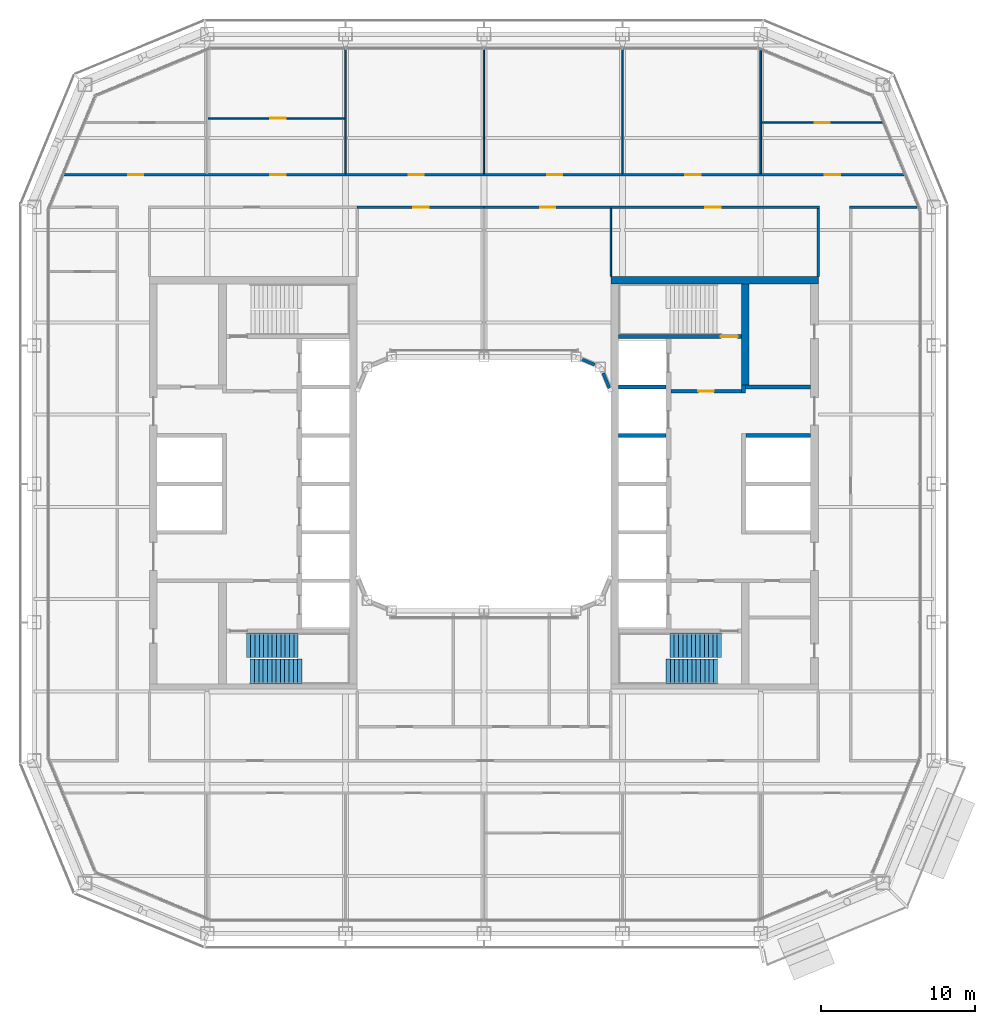
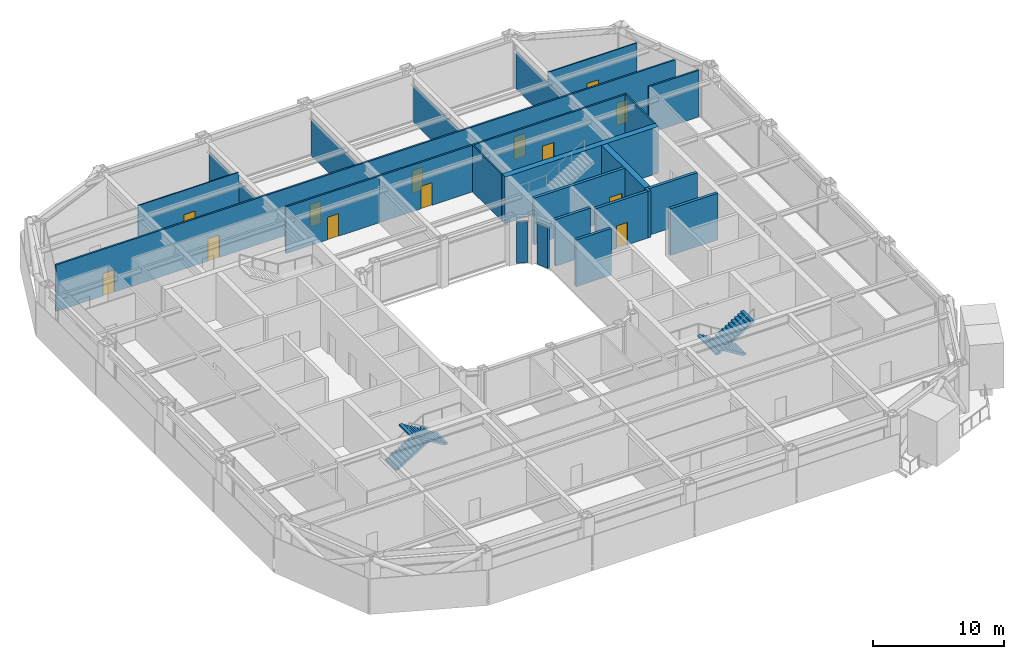
# One storey, part 14 of 23: 23 walls, 13 doors, 4 stair flights, 13 openings, 2 elements without a shape of their own.
"""IFC4 building model written with IfcOpenShell, lengths in metres."""

from ifc_helpers import new_model, si_unit, direction, frame, frame_2d, origin, place, context, subcontext, project, spatial, polyline, rectangle, outline, extrude, material, layer, layer_set, type_object, element, fill, aggregate, save


model = new_model("IFC4")

# Units and contexts
model_context = context("Model", 3, precision=1e-05, world=origin(), true_north=direction((0.0, 1.0)))
body_context = subcontext(model_context, "Body", "Model", "MODEL_VIEW")
ifc_project = project(units=[si_unit("LENGTHUNIT", "METRE"), si_unit("AREAUNIT", "SQUARE_METRE"), si_unit("VOLUMEUNIT", "CUBIC_METRE"), si_unit("PLANEANGLEUNIT", "RADIAN"), si_unit("MASSUNIT", "GRAM", prefix="KILO")], contexts=[model_context])

# Site, building, storey
site_placement = place(None, origin())
site = spatial("IfcSite", under=ifc_project, at=site_placement, CompositionType="ELEMENT")
building_placement = place(site_placement, origin())
building = spatial("IfcBuilding", under=site, at=building_placement, Name="Siwar Civic Tower", CompositionType="ELEMENT")
storey_placement = place(building_placement, frame((0.0, 0.0, 163.199951171875)))
storey = spatial("IfcBuildingStorey", under=building, at=storey_placement, Name="L35", CompositionType="ELEMENT", Elevation=163.199951171875)

# Wall, opening, door
ifc_material_1 = material(Name="Gypsum board on steel studs", Category="steel")
ifc_layer_1 = layer(ifc_material_1, 0.14990234375)
ifc_layer_set_1 = layer_set([ifc_layer_1], Name="Gypsum board on steel studs")
wall_type_1 = type_object("IfcWallType", Name="COMPARTMENT PARTITION 150 EI 60", PredefinedType="PARTITIONING", material=ifc_layer_set_1)
wall_1_placement = place(storey_placement, frame((-8.25, 18.0, 0.0), z_axis=(0.0, 0.0, 1.0), x_axis=(1.0, 0.0, 0.0)))
wall_1 = element("IfcWall", 1, at=wall_1_placement, inside=storey, type_object=wall_type_1, Name="L35/wall/P13", PredefinedType="PARTITIONING", context=body_context, shape_type="SweptSolid", body=[
    extrude(rectangle(XDim=8.25, YDim=0.14990234375, at=frame_2d((4.125, 0.0))), origin(), (0.0, 0.0, 1.0), 4.35009765625),
])
opening_1_placement = place(wall_1_placement, frame((3.64990234375, 0.0, 0.0)))
opening_1 = element("IfcOpeningElement", 2, at=opening_1_placement, cuts=wall_1, Name="Opening D1", PredefinedType="OPENING", context=body_context, shape_type="SweptSolid", body=[
    extrude(rectangle(XDim=1.0, YDim=2.10009765625, at=frame_2d((0.5, 1.050048828125))), frame((0.0, 0.0849609375, 0.0), z_axis=(0.0, -1.0, 0.0), x_axis=(1.0, 0.0, 0.0)), (0.0, 0.0, 1.0), 0.169921875),
])
ifc_material_2 = material(Name="Timber, painted", Category="wood")
door_type_1 = type_object("IfcDoorType", Name="DOOR 1000 X 2100 FD30", OperationType="SINGLE_SWING_LEFT", PredefinedType="DOOR", material=ifc_material_2)
door_1_placement = place(opening_1_placement, origin())
door_1 = element("IfcDoor", 3, at=door_1_placement, inside=storey, type_object=door_type_1, Name="L35-D17", OperationType="SINGLE_SWING_LEFT", OverallHeight=2.10009765625, OverallWidth=1.0, PredefinedType="DOOR", context=body_context, shape_type="SweptSolid", body=[
    extrude(rectangle(XDim=1.0, YDim=2.10009765625, at=frame_2d((0.5, 1.050048828125))), frame((0.0, 0.02490234375, 0.0), z_axis=(0.0, -1.0, 0.0), x_axis=(1.0, 0.0, 0.0)), (0.0, 0.0, 1.0), 0.050048828125),
])
fill(opening_1, door_1)

ifc_material_3 = material(Name="Concrete C60/75", Category="concrete")
ifc_layer_2 = layer(ifc_material_3, 0.25)
ifc_layer_set_2 = layer_set([ifc_layer_2], Name="Concrete C60/75")
wall_type_2 = type_object("IfcWallType", Name="CORE-WALL-RC250", PredefinedType="SHEAR", material=ifc_layer_set_2)
wall_2_placement = place(storey_placement, frame((12.14990234375, 6.02490234375, 0.0), z_axis=(0.0, 0.0, 1.0), x_axis=(1.0, 0.0, 0.0)))
wall_2 = element("IfcWall", 4, at=wall_2_placement, inside=storey, type_object=wall_type_2, Name="Core wall E", PredefinedType="SHEAR", context=body_context, shape_type="SweptSolid", body=[
    extrude(rectangle(XDim=4.60009765625, YDim=0.25, at=frame_2d((2.300048828125, 0.0))), origin(), (0.0, 0.0, 1.0), 4.35009765625),
])
opening_2_placement = place(wall_2_placement, frame((1.800048828125, 0.0, 0.0)))
opening_2 = element("IfcOpeningElement", 5, at=opening_2_placement, cuts=wall_2, Name="Opening L35-CE01", PredefinedType="OPENING", context=body_context, shape_type="SweptSolid", body=[
    extrude(rectangle(XDim=1.0, YDim=2.10009765625, at=frame_2d((0.5, 1.050048828125))), frame((0.0, 0.135009765625, 0.0), z_axis=(0.0, -1.0, 0.0), x_axis=(1.0, 0.0, 0.0)), (0.0, 0.0, 1.0), 0.27001953125),
])
ifc_material_4 = material(Name="Steel door leaf", Category="steel")
door_type_2 = type_object("IfcDoorType", Name="CORE-DOOR-FD30S", OperationType="SINGLE_SWING_LEFT", PredefinedType="DOOR", material=ifc_material_4)
door_2_placement = place(opening_2_placement, origin())
door_2 = element("IfcDoor", 6, at=door_2_placement, inside=storey, type_object=door_type_2, Name="Firefighting lobby door L35-CE01", OperationType="SINGLE_SWING_RIGHT", OverallHeight=2.10009765625, OverallWidth=1.0, PredefinedType="DOOR", context=body_context, shape_type="SweptSolid", body=[
    extrude(rectangle(XDim=1.0, YDim=2.10009765625, at=frame_2d((0.5, 1.050048828125))), frame((0.0, 0.02490234375, 0.0), z_axis=(0.0, -1.0, 0.0), x_axis=(1.0, 0.0, 0.0)), (0.0, 0.0, 1.0), 0.050048828125),
])
fill(opening_2, door_2)

# Walls
wall_3_placement = place(storey_placement, frame((16.875, 5.89990234375, 0.0), z_axis=(0.0, 0.0, 1.0), x_axis=(0.0, 1.0, 0.0)))
element("IfcWall", 7, at=wall_3_placement, inside=storey, type_object=wall_type_2, Name="Core wall E", PredefinedType="SHEAR", context=body_context, shape_type="SweptSolid", body=[
    extrude(rectangle(XDim=0.525146484375, YDim=0.25, at=frame_2d((0.2626953125, 0.0))), origin(), (0.0, 0.0, 1.0), 4.35009765625),
])
wall_4_placement = place(storey_placement, frame((17.0, 6.300048828125, 0.0), z_axis=(0.0, 0.0, 1.0), x_axis=(1.0, 0.0, 0.0)))
element("IfcWall", 8, at=wall_4_placement, inside=storey, type_object=wall_type_2, Name="Core wall E", PredefinedType="SHEAR", context=body_context, shape_type="SweptSolid", body=[
    extrude(rectangle(XDim=4.25, YDim=0.25, at=frame_2d((2.125, 0.0))), origin(), (0.0, 0.0, 1.0), 4.35009765625),
])
wall_5_placement = place(storey_placement, frame((17.050048828125, 3.14990234375, 0.0), z_axis=(0.0, 0.0, 1.0), x_axis=(1.0, 0.0, 0.0)))
element("IfcWall", 9, at=wall_5_placement, inside=storey, type_object=wall_type_2, Name="Core wall E", PredefinedType="SHEAR", context=body_context, shape_type="SweptSolid", body=[
    extrude(rectangle(XDim=4.199951171875, YDim=0.25, at=frame_2d((2.10009765625, 0.0))), origin(), (0.0, 0.0, 1.0), 4.35009765625),
])
for number, where, z_axis, x_axis, name in (
    (10, (8.75, 3.14990234375, 0.0), (0.0, 0.0, 1.0), (1.0, 0.0, 0.0), "Core wall E"),
    (11, (8.75, 6.300048828125, 0.0), (0.0, 0.0, 1.0), (1.0, 0.0, 0.0), "Core wall E"),
):
    element("IfcWall", number, at=place(storey_placement, frame(where, z_axis=z_axis, x_axis=x_axis)), inside=storey, type_object=wall_type_2, Name=name, PredefinedType="SHEAR", context=body_context, shape_type="SweptSolid", body=[
        extrude(rectangle(XDim=3.10009765625, YDim=0.25, at=frame_2d((1.550048828125, 0.0))), origin(), (0.0, 0.0, 1.0), 4.35009765625),
    ])

# Wall, opening, door
wall_6_placement = place(storey_placement, frame((8.75, 9.574951171875, 0.0), z_axis=(0.0, 0.0, 1.0), x_axis=(1.0, 0.0, 0.0)))
wall_6 = element("IfcWall", 12, at=wall_6_placement, inside=storey, type_object=wall_type_2, Name="Core wall E", PredefinedType="SHEAR", context=body_context, shape_type="SweptSolid", body=[
    extrude(rectangle(XDim=8.0, YDim=0.25, at=frame_2d((4.0, 0.0))), origin(), (0.0, 0.0, 1.0), 4.35009765625),
])
opening_3_placement = place(wall_6_placement, frame((6.64990234375, 0.0, 0.0)))
opening_3 = element("IfcOpeningElement", 13, at=opening_3_placement, cuts=wall_6, Name="Opening L35-CE03", PredefinedType="OPENING", context=body_context, shape_type="SweptSolid", body=[
    extrude(rectangle(XDim=1.10009765625, YDim=2.10009765625, at=frame_2d((0.550048828125, 1.050048828125))), frame((0.0, 0.135009765625, 0.0), z_axis=(0.0, -1.0, 0.0), x_axis=(1.0, 0.0, 0.0)), (0.0, 0.0, 1.0), 0.27001953125),
])
ifc_material_5 = material(Name="Steel door leaf", Category="steel")
door_type_3 = type_object("IfcDoorType", Name="CORE-DOOR-FD60S", OperationType="SINGLE_SWING_LEFT", PredefinedType="DOOR", material=ifc_material_5)
door_3_placement = place(opening_3_placement, origin())
door_3 = element("IfcDoor", 14, at=door_3_placement, inside=storey, type_object=door_type_3, Name="Stair door L35-CE03", OperationType="SINGLE_SWING_LEFT", OverallHeight=2.10009765625, OverallWidth=1.10009765625, PredefinedType="DOOR", context=body_context, shape_type="SweptSolid", body=[
    extrude(rectangle(XDim=1.10009765625, YDim=2.10009765625, at=frame_2d((0.550048828125, 1.050048828125))), frame((0.0, 0.02490234375, 0.0), z_axis=(0.0, -1.0, 0.0), x_axis=(1.0, 0.0, 0.0)), (0.0, 0.0, 1.0), 0.050048828125),
])
fill(opening_3, door_3)

# Walls
ifc_material_6 = material(Name="Concrete C60/75", Category="concrete")
ifc_layer_3 = layer(ifc_material_6, 0.5)
ifc_layer_set_3 = layer_set([ifc_layer_3], Name="Concrete C60/75")
wall_type_3 = type_object("IfcWallType", Name="CORE-WALL-RC500", PredefinedType="SHEAR", material=ifc_layer_set_3)
wall_7_placement = place(storey_placement, frame((17.0, 6.425048828125, 0.0), z_axis=(0.0, 0.0, 1.0), x_axis=(0.0, 1.0, 0.0)))
element("IfcWall", 15, at=wall_7_placement, inside=storey, type_object=wall_type_3, Name="Core wall E", PredefinedType="SHEAR", context=body_context, shape_type="SweptSolid", body=[
    extrude(rectangle(XDim=6.574951171875, YDim=0.5, at=frame_2d((3.28759765625, 0.0))), origin(), (0.0, 0.0, 1.0), 4.35009765625),
])
wall_8_placement = place(storey_placement, frame((8.25, 13.25, 0.0), z_axis=(0.0, 0.0, 1.0), x_axis=(1.0, 0.0, 0.0)))
element("IfcWall", 16, at=wall_8_placement, inside=storey, type_object=wall_type_3, Name="Core wall E", PredefinedType="SHEAR", context=body_context, shape_type="SweptSolid", body=[
    extrude(rectangle(XDim=13.5, YDim=0.5, at=frame_2d((6.75, 0.0))), origin(), (0.0, 0.0, 1.0), 4.35009765625),
])

# Wall, openings, doors
ifc_material_7 = material(Name="Gypsum board on steel studs", Category="steel")
ifc_layer_4 = layer(ifc_material_7, 0.14990234375)
ifc_layer_set_4 = layer_set([ifc_layer_4], Name="Gypsum board on steel studs")
wall_type_4 = type_object("IfcWallType", Name="CORRIDOR PARTITION 150 EI 30", PredefinedType="PARTITIONING", material=ifc_layer_set_4)
wall_9_placement = place(storey_placement, frame((0.0, 18.0, 0.0), z_axis=(0.0, 0.0, 1.0), x_axis=(1.0, 0.0, 0.0)))
wall_9 = element("IfcWall", 17, at=wall_9_placement, inside=storey, type_object=wall_type_4, Name="L35/wall/P11", PredefinedType="PARTITIONING", context=body_context, shape_type="SweptSolid", body=[
    extrude(rectangle(XDim=21.824951171875, YDim=0.14990234375, at=frame_2d((10.91259765625, 0.0))), origin(), (0.0, 0.0, 1.0), 4.35009765625),
])
opening_4_placement = place(wall_9_placement, frame((3.64990234375, 0.0, 0.0)))
opening_4 = element("IfcOpeningElement", 18, at=opening_4_placement, cuts=wall_9, Name="Opening D1", PredefinedType="OPENING", context=body_context, shape_type="SweptSolid", body=[
    extrude(rectangle(XDim=1.0, YDim=2.10009765625, at=frame_2d((0.5, 1.050048828125))), frame((0.0, 0.0849609375, 0.0), z_axis=(0.0, -1.0, 0.0), x_axis=(1.0, 0.0, 0.0)), (0.0, 0.0, 1.0), 0.169921875),
])
opening_5_placement = place(wall_9_placement, frame((14.39990234375, 0.0, 0.0)))
opening_5 = element("IfcOpeningElement", 19, at=opening_5_placement, cuts=wall_9, Name="Opening D1", PredefinedType="OPENING", context=body_context, shape_type="SweptSolid", body=[
    extrude(rectangle(XDim=1.0, YDim=2.10009765625, at=frame_2d((0.5, 1.050048828125))), frame((0.0, 0.0849609375, 0.0), z_axis=(0.0, -1.0, 0.0), x_axis=(1.0, 0.0, 0.0)), (0.0, 0.0, 1.0), 0.169921875),
])
door_4_placement = place(opening_4_placement, origin())
door_4 = element("IfcDoor", 20, at=door_4_placement, inside=storey, type_object=door_type_1, Name="L35-D18", OperationType="SINGLE_SWING_RIGHT", OverallHeight=2.10009765625, OverallWidth=1.0, PredefinedType="DOOR", context=body_context, shape_type="SweptSolid", body=[
    extrude(rectangle(XDim=1.0, YDim=2.10009765625, at=frame_2d((0.5, 1.050048828125))), frame((0.0, 0.02490234375, 0.0), z_axis=(0.0, -1.0, 0.0), x_axis=(1.0, 0.0, 0.0)), (0.0, 0.0, 1.0), 0.050048828125),
])
fill(opening_4, door_4)
door_5_placement = place(opening_5_placement, origin())
door_5 = element("IfcDoor", 21, at=door_5_placement, inside=storey, type_object=door_type_1, Name="L35-D25", OperationType="SINGLE_SWING_LEFT", OverallHeight=2.10009765625, OverallWidth=1.0, PredefinedType="DOOR", context=body_context, shape_type="SweptSolid", body=[
    extrude(rectangle(XDim=1.0, YDim=2.10009765625, at=frame_2d((0.5, 1.050048828125))), frame((0.0, 0.02490234375, 0.0), z_axis=(0.0, -1.0, 0.0), x_axis=(1.0, 0.0, 0.0)), (0.0, 0.0, 1.0), 0.050048828125),
])
fill(opening_5, door_5)

# Wall
wall_10_placement = place(storey_placement, frame((23.77490234375, 18.0, 0.0), z_axis=(0.0, 0.0, 1.0), x_axis=(1.0, 0.0, 0.0)))
element("IfcWall", 22, at=wall_10_placement, inside=storey, type_object=wall_type_4, Name="L35/wall/P12", PredefinedType="PARTITIONING", context=body_context, shape_type="SweptSolid", body=[
    extrude(rectangle(XDim=4.403076171875, YDim=0.14990234375, at=frame_2d((2.20166015625, 0.0))), origin(), (0.0, 0.0, 1.0), 4.35009765625),
])

# Wall, openings, doors
wall_11_placement = place(storey_placement, frame((-27.30810546875, 20.10009765625, 0.0), z_axis=(0.0, 0.0, 1.0), x_axis=(1.0, 0.0, 0.0)))
wall_11 = element("IfcWall", 23, at=wall_11_placement, inside=storey, type_object=wall_type_4, Name="L35/wall/P14", PredefinedType="PARTITIONING", context=body_context, shape_type="SweptSolid", body=[
    extrude(rectangle(XDim=54.6162109375, YDim=0.14990234375, at=frame_2d((27.30810546875, 0.0))), origin(), (0.0, 0.0, 1.0), 4.35009765625),
])
opening_6_placement = place(wall_11_placement, frame((13.407958984375, 0.0, 0.0)))
opening_6 = element("IfcOpeningElement", 24, at=opening_6_placement, cuts=wall_11, Name="Opening D1", PredefinedType="OPENING", context=body_context, shape_type="SweptSolid", body=[
    extrude(rectangle(XDim=1.0, YDim=2.10009765625, at=frame_2d((0.5, 1.050048828125))), frame((0.0, 0.0849609375, 0.0), z_axis=(0.0, -1.0, 0.0), x_axis=(1.0, 0.0, 0.0)), (0.0, 0.0, 1.0), 0.169921875),
])
opening_7_placement = place(wall_11_placement, frame((22.407958984375, 0.0, 0.0)))
opening_7 = element("IfcOpeningElement", 25, at=opening_7_placement, cuts=wall_11, Name="Opening D1", PredefinedType="OPENING", context=body_context, shape_type="SweptSolid", body=[
    extrude(rectangle(XDim=1.0, YDim=2.10009765625, at=frame_2d((0.5, 1.050048828125))), frame((0.0, 0.0849609375, 0.0), z_axis=(0.0, -1.0, 0.0), x_axis=(1.0, 0.0, 0.0)), (0.0, 0.0, 1.0), 0.169921875),
])
opening_8_placement = place(wall_11_placement, frame((31.407958984375, 0.0, 0.0)))
opening_8 = element("IfcOpeningElement", 26, at=opening_8_placement, cuts=wall_11, Name="Opening D1", PredefinedType="OPENING", context=body_context, shape_type="SweptSolid", body=[
    extrude(rectangle(XDim=1.0, YDim=2.10009765625, at=frame_2d((0.5, 1.050048828125))), frame((0.0, 0.0849609375, 0.0), z_axis=(0.0, -1.0, 0.0), x_axis=(1.0, 0.0, 0.0)), (0.0, 0.0, 1.0), 0.169921875),
])
opening_9_placement = place(wall_11_placement, frame((40.407958984375, 0.0, 0.0)))
opening_9 = element("IfcOpeningElement", 27, at=opening_9_placement, cuts=wall_11, Name="Opening D1", PredefinedType="OPENING", context=body_context, shape_type="SweptSolid", body=[
    extrude(rectangle(XDim=1.0, YDim=2.10009765625, at=frame_2d((0.5, 1.050048828125))), frame((0.0, 0.0849609375, 0.0), z_axis=(0.0, -1.0, 0.0), x_axis=(1.0, 0.0, 0.0)), (0.0, 0.0, 1.0), 0.169921875),
])
opening_10_placement = place(wall_11_placement, frame((4.157958984375, 0.0, 0.0)))
opening_10 = element("IfcOpeningElement", 28, at=opening_10_placement, cuts=wall_11, Name="Opening D1", PredefinedType="OPENING", context=body_context, shape_type="SweptSolid", body=[
    extrude(rectangle(XDim=1.0, YDim=2.10009765625, at=frame_2d((0.5, 1.050048828125))), frame((0.0, 0.0849609375, 0.0), z_axis=(0.0, -1.0, 0.0), x_axis=(1.0, 0.0, 0.0)), (0.0, 0.0, 1.0), 0.169921875),
])
opening_11_placement = place(wall_11_placement, frame((49.466064453125, 0.0, 0.0)))
opening_11 = element("IfcOpeningElement", 29, at=opening_11_placement, cuts=wall_11, Name="Opening D1", PredefinedType="OPENING", context=body_context, shape_type="SweptSolid", body=[
    extrude(rectangle(XDim=1.0, YDim=2.10009765625, at=frame_2d((0.5, 1.050048828125))), frame((0.0, 0.0849609375, 0.0), z_axis=(0.0, -1.0, 0.0), x_axis=(1.0, 0.0, 0.0)), (0.0, 0.0, 1.0), 0.169921875),
])
door_6_placement = place(opening_6_placement, origin())
door_6 = element("IfcDoor", 30, at=door_6_placement, inside=storey, type_object=door_type_1, Name="L35-D01", OperationType="SINGLE_SWING_LEFT", OverallHeight=2.10009765625, OverallWidth=1.0, PredefinedType="DOOR", context=body_context, shape_type="SweptSolid", body=[
    extrude(rectangle(XDim=1.0, YDim=2.10009765625, at=frame_2d((0.5, 1.050048828125))), frame((0.0, 0.02490234375, 0.0), z_axis=(0.0, -1.0, 0.0), x_axis=(1.0, 0.0, 0.0)), (0.0, 0.0, 1.0), 0.050048828125),
])
fill(opening_6, door_6)
door_7_placement = place(opening_7_placement, origin())
door_7 = element("IfcDoor", 31, at=door_7_placement, inside=storey, type_object=door_type_1, Name="L35-D03", OperationType="SINGLE_SWING_LEFT", OverallHeight=2.10009765625, OverallWidth=1.0, PredefinedType="DOOR", context=body_context, shape_type="SweptSolid", body=[
    extrude(rectangle(XDim=1.0, YDim=2.10009765625, at=frame_2d((0.5, 1.050048828125))), frame((0.0, 0.02490234375, 0.0), z_axis=(0.0, -1.0, 0.0), x_axis=(1.0, 0.0, 0.0)), (0.0, 0.0, 1.0), 0.050048828125),
])
fill(opening_7, door_7)
door_8_placement = place(opening_8_placement, origin())
door_8 = element("IfcDoor", 32, at=door_8_placement, inside=storey, type_object=door_type_1, Name="L35-D04", OperationType="SINGLE_SWING_RIGHT", OverallHeight=2.10009765625, OverallWidth=1.0, PredefinedType="DOOR", context=body_context, shape_type="SweptSolid", body=[
    extrude(rectangle(XDim=1.0, YDim=2.10009765625, at=frame_2d((0.5, 1.050048828125))), frame((0.0, 0.02490234375, 0.0), z_axis=(0.0, -1.0, 0.0), x_axis=(1.0, 0.0, 0.0)), (0.0, 0.0, 1.0), 0.050048828125),
])
fill(opening_8, door_8)
door_9_placement = place(opening_9_placement, origin())
door_9 = element("IfcDoor", 33, at=door_9_placement, inside=storey, type_object=door_type_1, Name="L35-D05", OperationType="SINGLE_SWING_LEFT", OverallHeight=2.10009765625, OverallWidth=1.0, PredefinedType="DOOR", context=body_context, shape_type="SweptSolid", body=[
    extrude(rectangle(XDim=1.0, YDim=2.10009765625, at=frame_2d((0.5, 1.050048828125))), frame((0.0, 0.02490234375, 0.0), z_axis=(0.0, -1.0, 0.0), x_axis=(1.0, 0.0, 0.0)), (0.0, 0.0, 1.0), 0.050048828125),
])
fill(opening_9, door_9)
door_10_placement = place(opening_10_placement, origin())
door_10 = element("IfcDoor", 34, at=door_10_placement, inside=storey, type_object=door_type_1, Name="L35-D11", OperationType="SINGLE_SWING_LEFT", OverallHeight=2.10009765625, OverallWidth=1.0, PredefinedType="DOOR", context=body_context, shape_type="SweptSolid", body=[
    extrude(rectangle(XDim=1.0, YDim=2.10009765625, at=frame_2d((0.5, 1.050048828125))), frame((0.0, 0.02490234375, 0.0), z_axis=(0.0, -1.0, 0.0), x_axis=(1.0, 0.0, 0.0)), (0.0, 0.0, 1.0), 0.050048828125),
])
fill(opening_10, door_10)
door_11_placement = place(opening_11_placement, origin())
door_11 = element("IfcDoor", 35, at=door_11_placement, inside=storey, type_object=door_type_1, Name="L35-D13", OperationType="SINGLE_SWING_LEFT", OverallHeight=2.10009765625, OverallWidth=1.0, PredefinedType="DOOR", context=body_context, shape_type="SweptSolid", body=[
    extrude(rectangle(XDim=1.0, YDim=2.10009765625, at=frame_2d((0.5, 1.050048828125))), frame((0.0, 0.02490234375, 0.0), z_axis=(0.0, -1.0, 0.0), x_axis=(1.0, 0.0, 0.0)), (0.0, 0.0, 1.0), 0.050048828125),
])
fill(opening_11, door_11)

# Walls
wall_12_placement = place(storey_placement, frame((21.75, 13.5, 0.0), z_axis=(0.0, 0.0, 1.0), x_axis=(0.0, 1.0, 0.0)))
element("IfcWall", 36, at=wall_12_placement, inside=storey, type_object=wall_type_4, Name="L35/wall/P41", PredefinedType="PARTITIONING", context=body_context, shape_type="SweptSolid", body=[
    extrude(rectangle(XDim=4.425048828125, YDim=0.14990234375, at=frame_2d((2.21240234375, 0.0))), origin(), (0.0, 0.0, 1.0), 4.35009765625),
])
ifc_material_8 = material(Name="Aluminium clad insulated panel", Category="aluminium")
ifc_layer_5 = layer(ifc_material_8, 0.199951171875)
ifc_layer_set_5 = layer_set([ifc_layer_5], Name="Aluminium clad insulated panel")
wall_type_5 = type_object("IfcWallType", Name="ENV-WALL-WELL", PredefinedType="STANDARD", material=ifc_layer_set_5)
wall_13_placement = place(storey_placement, frame((8.154296875, 6.23095703125, 0.0), z_axis=(0.0, 0.0, 1.0), x_axis=(-0.382694858887, 0.923874799408, 0.0)))
element("IfcWall", 37, at=wall_13_placement, inside=storey, type_object=wall_type_5, Name="Light well corner wall NE1", PredefinedType="STANDARD", context=body_context, shape_type="SweptSolid", body=[
    extrude(rectangle(XDim=1.047607421875, YDim=0.199951171875, at=frame_2d((0.52392578125, 0.0))), origin(), (0.0, 0.0, 1.0), 3.825927734375),
])
wall_14_placement = place(storey_placement, frame((7.19873046875, 7.75341796875, 0.0), z_axis=(0.0, 0.0, 1.0), x_axis=(-0.923894108428, 0.382648241093, 0.0)))
element("IfcWall", 38, at=wall_14_placement, inside=storey, type_object=wall_type_5, Name="Light well corner wall NE2", PredefinedType="STANDARD", context=body_context, shape_type="SweptSolid", body=[
    extrude(rectangle(XDim=0.872802734375, YDim=0.199951171875, at=frame_2d((0.4365234375, 0.0))), origin(), (0.0, 0.0, 1.0), 3.825927734375),
])

# Wall, opening, door
ifc_material_9 = material(Name="Gypsum board on steel studs", Category="steel")
ifc_layer_6 = layer(ifc_material_9, 0.10009765625)
ifc_layer_set_6 = layer_set([ifc_layer_6], Name="Gypsum board on steel studs")
wall_type_6 = type_object("IfcWallType", Name="PARTITION 100 GYPSUM", PredefinedType="PARTITIONING", material=ifc_layer_set_6)
wall_15_placement = place(storey_placement, frame((18.050048828125, 23.492919921875, 0.0), z_axis=(0.0, 0.0, 1.0), x_axis=(1.0, 0.0, 0.0)))
wall_15 = element("IfcWall", 39, at=wall_15_placement, inside=storey, type_object=wall_type_6, Name="L35/wall/P16", PredefinedType="PARTITIONING", context=body_context, shape_type="SweptSolid", body=[
    extrude(rectangle(XDim=7.85302734375, YDim=0.10009765625, at=frame_2d((3.926513671875, 0.0))), origin(), (0.0, 0.0, 1.0), 4.35009765625),
])
opening_12_placement = place(wall_15_placement, frame((3.452880859375, 0.0, 0.0)))
opening_12 = element("IfcOpeningElement", 40, at=opening_12_placement, cuts=wall_15, Name="Opening D2", PredefinedType="OPENING", context=body_context, shape_type="SweptSolid", body=[
    extrude(rectangle(XDim=1.0, YDim=2.10009765625, at=frame_2d((0.5, 1.050048828125))), frame((0.0, 0.06005859375, 0.0), z_axis=(0.0, -1.0, 0.0), x_axis=(1.0, 0.0, 0.0)), (0.0, 0.0, 1.0), 0.1201171875),
])
ifc_material_10 = material(Name="Timber, painted", Category="wood")
door_type_4 = type_object("IfcDoorType", Name="DOOR 1000 X 2100", OperationType="SINGLE_SWING_LEFT", PredefinedType="DOOR", material=ifc_material_10)
door_12_placement = place(opening_12_placement, origin())
door_12 = element("IfcDoor", 41, at=door_12_placement, inside=storey, type_object=door_type_4, Name="L35-D14", OperationType="SINGLE_SWING_RIGHT", OverallHeight=2.10009765625, OverallWidth=1.0, PredefinedType="DOOR", context=body_context, shape_type="SweptSolid", body=[
    extrude(rectangle(XDim=1.0, YDim=2.10009765625, at=frame_2d((0.5, 1.050048828125))), frame((0.0, 0.02490234375, 0.0), z_axis=(0.0, -1.0, 0.0), x_axis=(1.0, 0.0, 0.0)), (0.0, 0.0, 1.0), 0.050048828125),
])
fill(opening_12, door_12)

wall_16_placement = place(storey_placement, frame((-17.949951171875, 23.77197265625, 0.0), z_axis=(0.0, 0.0, 1.0), x_axis=(1.0, 0.0, 0.0)))
wall_16 = element("IfcWall", 42, at=wall_16_placement, inside=storey, type_object=wall_type_6, Name="L35/wall/P17", PredefinedType="PARTITIONING", context=body_context, shape_type="SweptSolid", body=[
    extrude(rectangle(XDim=8.89990234375, YDim=0.10009765625, at=frame_2d((4.449951171875, 0.0))), origin(), (0.0, 0.0, 1.0), 4.35009765625),
])
opening_13_placement = place(wall_16_placement, frame((4.050048828125, 0.0, 0.0)))
opening_13 = element("IfcOpeningElement", 43, at=opening_13_placement, cuts=wall_16, Name="Opening D2", PredefinedType="OPENING", context=body_context, shape_type="SweptSolid", body=[
    extrude(rectangle(XDim=1.0, YDim=2.10009765625, at=frame_2d((0.5, 1.050048828125))), frame((0.0, 0.06005859375, 0.0), z_axis=(0.0, -1.0, 0.0), x_axis=(1.0, 0.0, 0.0)), (0.0, 0.0, 1.0), 0.1201171875),
])
door_13_placement = place(opening_13_placement, origin())
door_13 = element("IfcDoor", 44, at=door_13_placement, inside=storey, type_object=door_type_4, Name="L35-D02", OperationType="SINGLE_SWING_RIGHT", OverallHeight=2.10009765625, OverallWidth=1.0, PredefinedType="DOOR", context=body_context, shape_type="SweptSolid", body=[
    extrude(rectangle(XDim=1.0, YDim=2.10009765625, at=frame_2d((0.5, 1.050048828125))), frame((0.0, 0.02490234375, 0.0), z_axis=(0.0, -1.0, 0.0), x_axis=(1.0, 0.0, 0.0)), (0.0, 0.0, 1.0), 0.050048828125),
])
fill(opening_13, door_13)

# Walls
for number, where, z_axis, x_axis, name in (
    (45, (-9.0, 20.175048828125, 0.0), (0.0, 0.0, 1.0), (0.0, 1.0, 0.0), "L35/wall/P24"),
    (46, (0.0, 20.175048828125, 0.0), (0.0, 0.0, 1.0), (0.0, 1.0, 0.0), "L35/wall/P29"),
):
    element("IfcWall", number, at=place(storey_placement, frame(where, z_axis=z_axis, x_axis=x_axis)), inside=storey, type_object=wall_type_6, Name=name, PredefinedType="PARTITIONING", context=body_context, shape_type="SweptSolid", body=[
        extrude(rectangle(XDim=8.0849609375, YDim=0.10009765625, at=frame_2d((4.04248046875, 0.0))), origin(), (0.0, 0.0, 1.0), 3.449951171875),
    ])
wall_17_placement = place(storey_placement, frame((8.25, 13.5, 0.0), z_axis=(0.0, 0.0, 1.0), x_axis=(0.0, 1.0, 0.0)))
element("IfcWall", 47, at=wall_17_placement, inside=storey, type_object=wall_type_6, Name="L35/wall/P33", PredefinedType="PARTITIONING", context=body_context, shape_type="SweptSolid", body=[
    extrude(rectangle(XDim=4.425048828125, YDim=0.10009765625, at=frame_2d((2.21240234375, 0.0))), origin(), (0.0, 0.0, 1.0), 4.35009765625),
])
wall_18_placement = place(storey_placement, frame((9.0, 20.175048828125, 0.0), z_axis=(0.0, 0.0, 1.0), x_axis=(0.0, 1.0, 0.0)))
element("IfcWall", 48, at=wall_18_placement, inside=storey, type_object=wall_type_6, Name="L35/wall/P37", PredefinedType="PARTITIONING", context=body_context, shape_type="SweptSolid", body=[
    extrude(rectangle(XDim=8.0849609375, YDim=0.10009765625, at=frame_2d((4.04248046875, 0.0))), origin(), (0.0, 0.0, 1.0), 3.449951171875),
])
wall_19_placement = place(storey_placement, frame((18.0, 20.175048828125, 0.0), z_axis=(0.0, 0.0, 1.0), x_axis=(0.0, 1.0, 0.0)))
element("IfcWall", 49, at=wall_19_placement, inside=storey, type_object=wall_type_6, Name="L35/wall/P39", PredefinedType="PARTITIONING", context=body_context, shape_type="SweptSolid", body=[
    extrude(rectangle(XDim=8.0029296875, YDim=0.10009765625, at=frame_2d((4.00146484375, 0.0))), origin(), (0.0, 0.0, 1.0), 3.449951171875),
])

# Stair, stair flights
ifc_material_11 = material(Name="Concrete C40/50", Category="concrete")
stair_type = type_object("IfcStairType", Name="CORE-STAIR", PredefinedType="TWO_STRAIGHT_RUN_STAIR", material=ifc_material_11)
stair_1_placement = place(storey_placement, origin())
stair_1 = element("IfcStair", 50, at=stair_1_placement, inside=storey, type_object=stair_type, Name="Exit stair ST2", PredefinedType="TWO_STRAIGHT_RUN_STAIR")
ifc_material_12 = material(Name="Concrete C40/50", Category="concrete")
stair_flight_type = type_object("IfcStairFlightType", Name="CORE-STAIR-FLIGHT", PredefinedType="STRAIGHT", material=ifc_material_12)
stair_flight_1_placement = place(storey_placement, frame((-15.449951171875, -10.5, 0.0), z_axis=(0.0, 0.0, 1.0), x_axis=(1.0, 0.0, 0.0)))
stair_flight_1 = element("IfcStairFlight", 51, at=stair_flight_1_placement, type_object=stair_flight_type, Name="ST2 flight 1", NumberOfRisers=13, NumberOfTreads=12, PredefinedType="STRAIGHT", RiserHeight=0.173076923, TreadLength=0.28, context=body_context, shape_type="SweptSolid", body=[
    extrude(outline(polyline([(0.0, 0.0), (0.0, 0.173095703125), (0.280029296875, 0.173095703125), (0.280029296875, 0.34619140625), (0.56005859375, 0.34619140625), (0.56005859375, 0.519287109375), (0.840087890625, 0.519287109375), (0.840087890625, 0.6923828125), (1.1201171875, 0.6923828125), (1.1201171875, 0.865478515625), (1.39990234375, 0.865478515625), (1.39990234375, 1.03857421875), (1.679931640625, 1.03857421875), (1.679931640625, 1.21142578125), (1.9599609375, 1.21142578125), (1.9599609375, 1.384521484375), (2.239990234375, 1.384521484375), (2.239990234375, 1.5576171875), (2.52001953125, 1.5576171875), (2.52001953125, 1.730712890625), (2.800048828125, 1.730712890625), (2.800048828125, 1.90380859375), (3.080078125, 1.90380859375), (3.080078125, 2.076904296875), (3.360107421875, 2.076904296875), (3.360107421875, 2.25), (3.360107421875, 1.900634765625), (0.28515625, 0.0), (0.0, 0.0)])), frame((0.0, 0.800048828125, 0.0), z_axis=(0.0, -1.0, 0.0), x_axis=(1.0, 0.0, 0.0)), (0.0, 0.0, 1.0), 1.60009765625),
])
stair_flight_2_placement = place(storey_placement, frame((-11.840087890625, -12.199951171875, 2.25), z_axis=(0.0, 0.0, 1.0), x_axis=(-1.0, 0.0, 0.0)))
stair_flight_2 = element("IfcStairFlight", 52, at=stair_flight_2_placement, type_object=stair_flight_type, Name="ST2 flight 2", NumberOfRisers=13, NumberOfTreads=12, PredefinedType="STRAIGHT", RiserHeight=0.173076923, TreadLength=0.28, context=body_context, shape_type="SweptSolid", body=[
    extrude(outline(polyline([(0.0, 0.0), (0.0, 0.173095703125), (0.280029296875, 0.173095703125), (0.280029296875, 0.34619140625), (0.56005859375, 0.34619140625), (0.56005859375, 0.519287109375), (0.840087890625, 0.519287109375), (0.840087890625, 0.6923828125), (1.1201171875, 0.6923828125), (1.1201171875, 0.865478515625), (1.39990234375, 0.865478515625), (1.39990234375, 1.03857421875), (1.679931640625, 1.03857421875), (1.679931640625, 1.21142578125), (1.9599609375, 1.21142578125), (1.9599609375, 1.384521484375), (2.239990234375, 1.384521484375), (2.239990234375, 1.5576171875), (2.52001953125, 1.5576171875), (2.52001953125, 1.730712890625), (2.800048828125, 1.730712890625), (2.800048828125, 1.90380859375), (3.080078125, 1.90380859375), (3.080078125, 2.076904296875), (3.360107421875, 2.076904296875), (3.360107421875, 2.25), (3.360107421875, 1.900634765625), (0.28515625, 0.0), (0.0, 0.0)])), frame((0.0, 0.800048828125, 0.0), z_axis=(0.0, -1.0, 0.0), x_axis=(1.0, 0.0, 0.0)), (0.0, 0.0, 1.0), 1.60009765625),
])
aggregate(stair_1, [stair_flight_1, stair_flight_2])

stair_2_placement = place(storey_placement, origin())
stair_2 = element("IfcStair", 53, at=stair_2_placement, inside=storey, type_object=stair_type, Name="Exit stair ST4", PredefinedType="TWO_STRAIGHT_RUN_STAIR")
stair_flight_3_placement = place(storey_placement, frame((15.449951171875, -10.5, 0.0), z_axis=(0.0, 0.0, 1.0), x_axis=(-1.0, 0.0, 0.0)))
stair_flight_3 = element("IfcStairFlight", 54, at=stair_flight_3_placement, type_object=stair_flight_type, Name="ST4 flight 1", NumberOfRisers=13, NumberOfTreads=12, PredefinedType="STRAIGHT", RiserHeight=0.173076923, TreadLength=0.28, context=body_context, shape_type="SweptSolid", body=[
    extrude(outline(polyline([(0.0, 0.0), (0.0, 0.173095703125), (0.280029296875, 0.173095703125), (0.280029296875, 0.34619140625), (0.56005859375, 0.34619140625), (0.56005859375, 0.519287109375), (0.840087890625, 0.519287109375), (0.840087890625, 0.6923828125), (1.1201171875, 0.6923828125), (1.1201171875, 0.865478515625), (1.39990234375, 0.865478515625), (1.39990234375, 1.03857421875), (1.679931640625, 1.03857421875), (1.679931640625, 1.21142578125), (1.9599609375, 1.21142578125), (1.9599609375, 1.384521484375), (2.239990234375, 1.384521484375), (2.239990234375, 1.5576171875), (2.52001953125, 1.5576171875), (2.52001953125, 1.730712890625), (2.800048828125, 1.730712890625), (2.800048828125, 1.90380859375), (3.080078125, 1.90380859375), (3.080078125, 2.076904296875), (3.360107421875, 2.076904296875), (3.360107421875, 2.25), (3.360107421875, 1.900634765625), (0.28515625, 0.0), (0.0, 0.0)])), frame((0.0, 0.800048828125, 0.0), z_axis=(0.0, -1.0, 0.0), x_axis=(1.0, 0.0, 0.0)), (0.0, 0.0, 1.0), 1.60009765625),
])
stair_flight_4_placement = place(storey_placement, frame((11.840087890625, -12.199951171875, 2.25), z_axis=(0.0, 0.0, 1.0), x_axis=(1.0, 0.0, 0.0)))
stair_flight_4 = element("IfcStairFlight", 55, at=stair_flight_4_placement, type_object=stair_flight_type, Name="ST4 flight 2", NumberOfRisers=13, NumberOfTreads=12, PredefinedType="STRAIGHT", RiserHeight=0.173076923, TreadLength=0.28, context=body_context, shape_type="SweptSolid", body=[
    extrude(outline(polyline([(0.0, 0.0), (0.0, 0.173095703125), (0.280029296875, 0.173095703125), (0.280029296875, 0.34619140625), (0.56005859375, 0.34619140625), (0.56005859375, 0.519287109375), (0.840087890625, 0.519287109375), (0.840087890625, 0.6923828125), (1.1201171875, 0.6923828125), (1.1201171875, 0.865478515625), (1.39990234375, 0.865478515625), (1.39990234375, 1.03857421875), (1.679931640625, 1.03857421875), (1.679931640625, 1.21142578125), (1.9599609375, 1.21142578125), (1.9599609375, 1.384521484375), (2.239990234375, 1.384521484375), (2.239990234375, 1.5576171875), (2.52001953125, 1.5576171875), (2.52001953125, 1.730712890625), (2.800048828125, 1.730712890625), (2.800048828125, 1.90380859375), (3.080078125, 1.90380859375), (3.080078125, 2.076904296875), (3.360107421875, 2.076904296875), (3.360107421875, 2.25), (3.360107421875, 1.900634765625), (0.28515625, 0.0), (0.0, 0.0)])), frame((0.0, 0.800048828125, 0.0), z_axis=(0.0, -1.0, 0.0), x_axis=(1.0, 0.0, 0.0)), (0.0, 0.0, 1.0), 1.60009765625),
])
aggregate(stair_2, [stair_flight_3, stair_flight_4])

save(model, "model.ifc")
